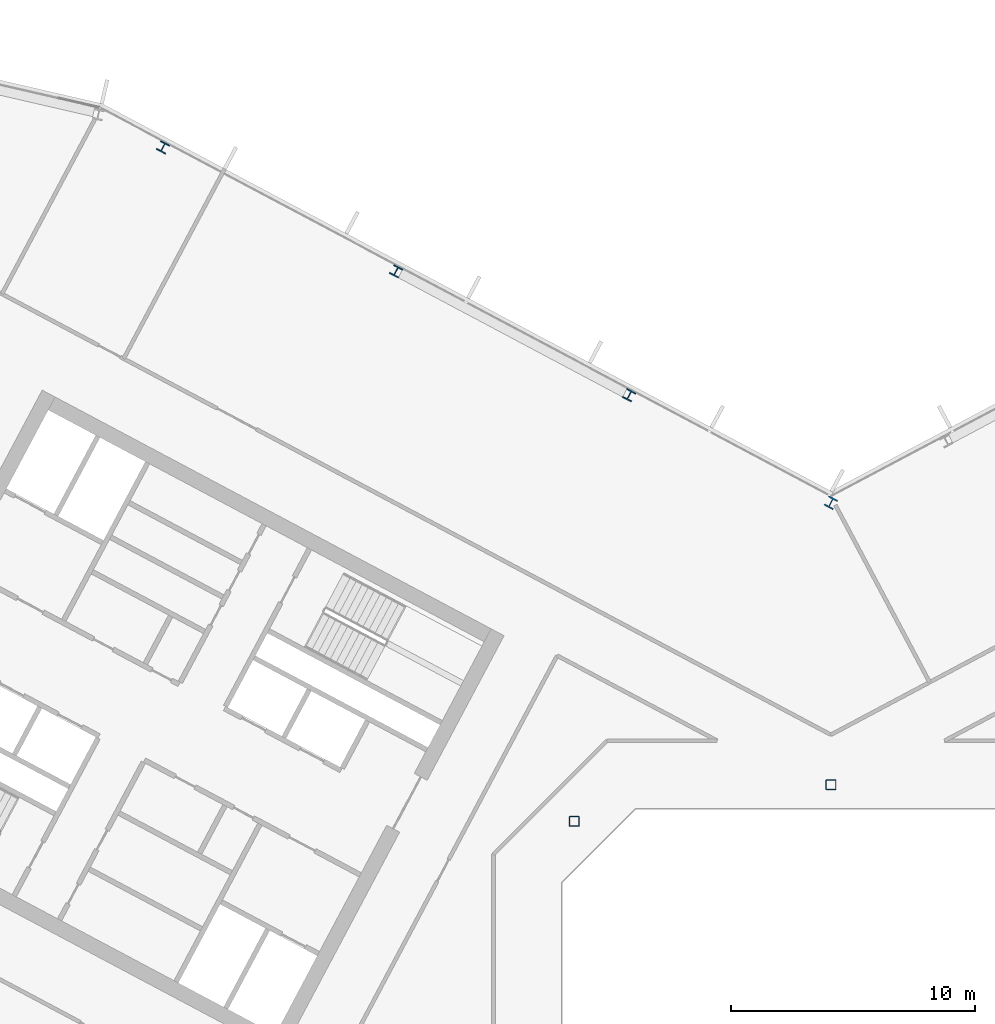
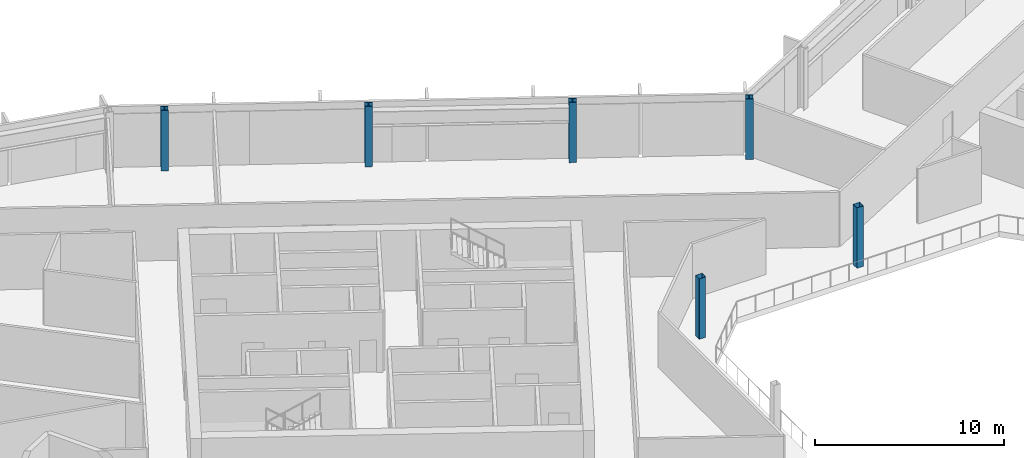
# One storey, part 4 of 26: 6 columns.
"""IFC4 building model written with IfcOpenShell, lengths in metres."""

from ifc_helpers import new_model, si_unit, direction, frame, origin, origin_2d, place, context, subcontext, project, spatial, hollow_rectangle, i_section, extrude, material, material_profile, profile_set, type_object, element, save


model = new_model("IFC4")

# Units and contexts
model_context = context("Model", 3, precision=1e-05, world=origin(), true_north=direction((0.0, 1.0)))
body_context = subcontext(model_context, "Body", "Model", "MODEL_VIEW")
ifc_project = project(units=[si_unit("LENGTHUNIT", "METRE"), si_unit("AREAUNIT", "SQUARE_METRE"), si_unit("VOLUMEUNIT", "CUBIC_METRE"), si_unit("PLANEANGLEUNIT", "RADIAN"), si_unit("MASSUNIT", "GRAM", prefix="KILO")], contexts=[model_context])

# Site, building, storey
site_placement = place(None, origin())
site = spatial("IfcSite", under=ifc_project, at=site_placement, CompositionType="ELEMENT")
building_placement = place(site_placement, origin())
building = spatial("IfcBuilding", under=site, at=building_placement, Name="Cormorant Relay Tower", CompositionType="ELEMENT")
storey_placement = place(building_placement, frame((0.0, 0.0, 197.39990234375)))
storey = spatial("IfcBuildingStorey", under=building, at=storey_placement, Name="L42", CompositionType="ELEMENT", Elevation=197.39990234375)

# Columns
ifc_material_1 = material(Name="Steel ASTM A500 Grade C (Fy 345 MPa)", Category="steel")
ifc_material_profile_1 = material_profile(ifc_material_1, hollow_rectangle(XDim=0.406494140625, YDim=0.406494140625, WallThickness=0.0146484375, InnerFilletRadius=0.00732421875, OuterFilletRadius=0.022216796875, at=origin_2d()), Name="HSS406x406x15")
ifc_profile_set_1 = profile_set([ifc_material_profile_1], Name="Steel ASTM A500 Grade C (Fy 345 MPa)")
column_type_1 = type_object("IfcColumnType", Name="Column HSS406x406x15", PredefinedType="COLUMN", material=ifc_profile_set_1)
for number, where, z_axis, x_axis, name in (
    (1, (-10.5, 10.5, 0.0), (0.0, 0.0, 1.0), (1.0, 0.0, 0.0), "Column L42-023"),
    (2, (0.0, 12.0, 0.0), (0.0, 0.0, 1.0), (1.0, 0.0, 0.0), "Column L42-025"),
):
    element("IfcColumn", number, at=place(storey_placement, frame(where, z_axis=z_axis, x_axis=x_axis)), inside=storey, type_object=column_type_1, Name=name, PredefinedType="COLUMN", context=body_context, shape_type="SweptSolid", body=[
        extrude(hollow_rectangle(XDim=0.406494140625, YDim=0.406494140625, WallThickness=0.0146484375, InnerFilletRadius=0.00732421875, OuterFilletRadius=0.022216796875, at=origin_2d()), origin(), (0.0, 0.0, 1.0), 3.900146484375),
    ])
ifc_material_2 = material(Name="Steel ASTM A992 (Fy 345 MPa)", Category="steel")
ifc_material_profile_2 = material_profile(ifc_material_2, i_section(OverallWidth=0.40380859375, OverallDepth=0.406494140625, WebThickness=0.027099609375, FlangeThickness=0.043701171875, FilletRadius=0.01513671875, at=origin_2d()), Name="W360x347")
ifc_profile_set_2 = profile_set([ifc_material_profile_2], Name="Steel ASTM A992 (Fy 345 MPa)")
column_type_2 = type_object("IfcColumnType", Name="Column W360x347", PredefinedType="COLUMN", material=ifc_profile_set_2)
for number, where, z_axis, x_axis, name in (
    (3, (-8.251953125, 27.93408203125, 0.0), (0.0, 0.0, 1.0), (-0.882947592859, 0.469471562786, 0.0), "Column L42-033"),
    (4, (-17.7880859375, 33.00390625, 0.0), (0.0, 0.0, 1.0), (-0.882947592859, 0.469471562786, 0.0), "Column L42-037"),
    (5, (-27.322998046875, 38.073974609375, 0.0), (0.0, 0.0, 1.0), (-0.882947592859, 0.469471562786, 0.0), "Column L42-040"),
):
    element("IfcColumn", number, at=place(storey_placement, frame(where, z_axis=z_axis, x_axis=x_axis)), inside=storey, type_object=column_type_2, Name=name, PredefinedType="COLUMN", context=body_context, shape_type="SweptSolid", body=[
        extrude(i_section(OverallWidth=0.40380859375, OverallDepth=0.406494140625, WebThickness=0.027099609375, FlangeThickness=0.043701171875, FilletRadius=0.01513671875, at=origin_2d()), origin(), (0.0, 0.0, 1.0), 3.900146484375),
    ])
ifc_material_3 = material(Name="Steel ASTM A992 (Fy 345 MPa)", Category="steel")
ifc_material_profile_3 = material_profile(ifc_material_3, i_section(OverallWidth=0.41162109375, OverallDepth=0.434326171875, WebThickness=0.035888671875, FlangeThickness=0.057373046875, FilletRadius=0.01513671875, at=origin_2d()), Name="W360x463")
ifc_profile_set_3 = profile_set([ifc_material_profile_3], Name="Steel ASTM A992 (Fy 345 MPa)")
column_type_3 = type_object("IfcColumnType", Name="Column W360x463", PredefinedType="COLUMN", material=ifc_profile_set_3)
column_placement = place(storey_placement, frame((0.0, 23.533935546875, 0.0), z_axis=(0.0, 0.0, 1.0), x_axis=(-0.882947592859, 0.469471562786, 0.0)))
element("IfcColumn", 6, at=column_placement, inside=storey, type_object=column_type_3, Name="Column L42-030", PredefinedType="COLUMN", context=body_context, shape_type="SweptSolid", body=[
    extrude(i_section(OverallWidth=0.41162109375, OverallDepth=0.434326171875, WebThickness=0.035888671875, FlangeThickness=0.057373046875, FilletRadius=0.01513671875, at=origin_2d()), origin(), (0.0, 0.0, 1.0), 3.900146484375),
])

save(model, "model.ifc")
